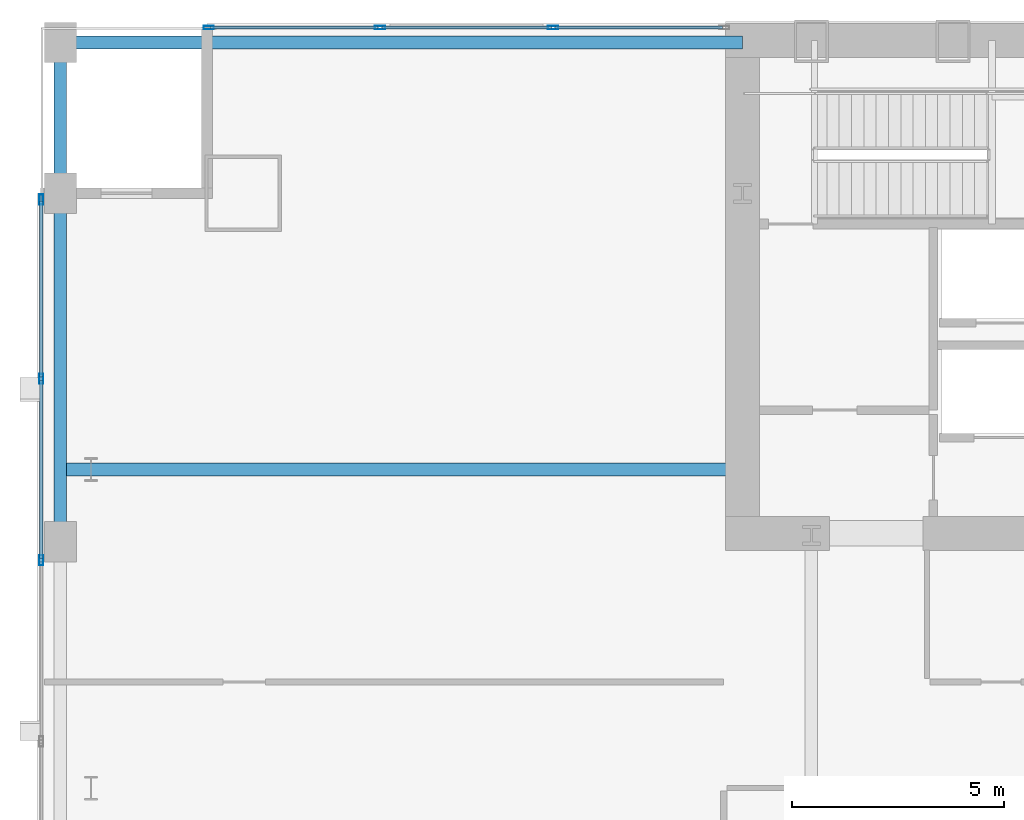
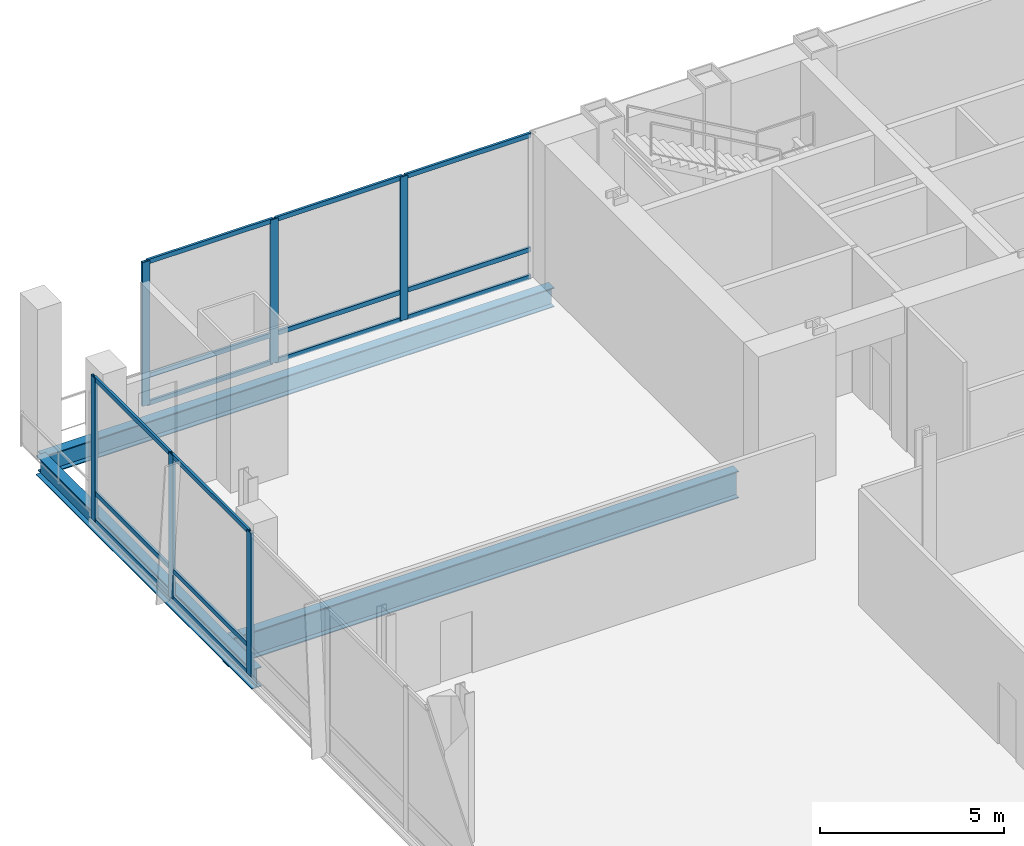
# One storey, part 10 of 25: 21 members, 3 beams, 2 elements without a shape of their own.
"""IFC4 building model written with IfcOpenShell, lengths in metres."""

from ifc_helpers import new_model, si_unit, direction, frame, origin, origin_2d, place, context, subcontext, project, spatial, hollow_rectangle, i_section, extrude, material, material_profile, profile_set, type_object, element, aggregate, save


model = new_model("IFC4")

# Units and contexts
model_context = context("Model", 3, precision=1e-05, world=origin(), true_north=direction((0.0, 1.0)))
body_context = subcontext(model_context, "Body", "Model", "MODEL_VIEW")
ifc_project = project(units=[si_unit("LENGTHUNIT", "METRE"), si_unit("AREAUNIT", "SQUARE_METRE"), si_unit("VOLUMEUNIT", "CUBIC_METRE"), si_unit("PLANEANGLEUNIT", "RADIAN"), si_unit("MASSUNIT", "GRAM", prefix="KILO")], contexts=[model_context])

# Site, building, storey
site_placement = place(None, origin())
site = spatial("IfcSite", under=ifc_project, at=site_placement, CompositionType="ELEMENT")
building_placement = place(site_placement, origin())
building = spatial("IfcBuilding", under=site, at=building_placement, Name="Khoronbel Lancet Exchange", CompositionType="ELEMENT")
storey_placement = place(building_placement, frame((0.0, 0.0, 15.39990234375)))
storey = spatial("IfcBuildingStorey", under=building, at=storey_placement, Name="L03", CompositionType="ELEMENT", Elevation=15.39990234375)

# Beams
ifc_material_1 = material(Name="Steel S355", Category="steel")
ifc_material_profile_1 = material_profile(ifc_material_1, i_section(OverallWidth=0.300048828125, OverallDepth=0.89990234375, WebThickness=0.0185546875, FlangeThickness=0.034912109375, at=origin_2d()), Name="HEB 900")
ifc_profile_set_1 = profile_set([ifc_material_profile_1], Name="Steel S355")
beam_type_1 = type_object("IfcBeamType", Name="BM-BG1", PredefinedType="BEAM", material=ifc_profile_set_1)
beam_1_placement = place(storey_placement, frame((0.550048828125, 43.199951171875, -0.64990234375), z_axis=(1.0, 0.0, 0.0), x_axis=(0.0, 1.0, 0.0)))
element("IfcBeam", 1, at=beam_1_placement, inside=storey, type_object=beam_type_1, Name="Level L03 west lens tie girder LG3W", PredefinedType="BEAM", context=body_context, shape_type="SweptSolid", body=[
    extrude(i_section(OverallWidth=0.300048828125, OverallDepth=0.89990234375, WebThickness=0.0185546875, FlangeThickness=0.034912109375, at=origin_2d()), origin(), (0.0, 0.0, 1.0), 16.050048828125),
])
ifc_material_profile_2 = material_profile(ifc_material_1, i_section(OverallWidth=0.300048828125, OverallDepth=0.64990234375, WebThickness=0.01611328125, FlangeThickness=0.031005859375, at=origin_2d()), Name="HEB 650")
ifc_profile_set_2 = profile_set([ifc_material_profile_2], Name="Steel S355")
beam_type_2 = type_object("IfcBeamType", Name="BM-BSP1", PredefinedType="SPANDREL", material=ifc_profile_set_2)
beam_2_placement = place(storey_placement, frame((16.60009765625, 53.25, -0.52490234375), z_axis=(-1.0, 0.0, 0.0), x_axis=(0.0, -1.0, 0.0)))
element("IfcBeam", 2, at=beam_2_placement, inside=storey, type_object=beam_type_2, Name="Level L03 perimeter spandrel beam SP14", PredefinedType="SPANDREL", context=body_context, shape_type="SweptSolid", body=[
    extrude(i_section(OverallWidth=0.300048828125, OverallDepth=0.64990234375, WebThickness=0.01611328125, FlangeThickness=0.031005859375, at=origin_2d()), origin(), (0.0, 0.0, 1.0), 16.050048828125),
])
beam_3_placement = place(storey_placement, frame((0.550048828125, 53.25, -0.52490234375), z_axis=(0.0, -1.0, 0.0), x_axis=(1.0, 0.0, 0.0)))
element("IfcBeam", 3, at=beam_3_placement, inside=storey, type_object=beam_type_2, Name="Level L03 perimeter spandrel beam SP15", PredefinedType="SPANDREL", context=body_context, shape_type="SweptSolid", body=[
    extrude(i_section(OverallWidth=0.300048828125, OverallDepth=0.64990234375, WebThickness=0.01611328125, FlangeThickness=0.031005859375, at=origin_2d()), origin(), (0.0, 0.0, 1.0), 11.75),
])

# Curtain wall, members
ifc_material_2 = material(Name="Low-E Solar Control Insulating Glass", Category="glass")
curtain_wall_type = type_object("IfcCurtainWallType", Name="CW-5", PredefinedType="NOTDEFINED", material=ifc_material_2)
curtain_wall_1_placement = place(storey_placement, origin())
curtain_wall_1 = element("IfcCurtainWall", 4, at=curtain_wall_1_placement, inside=storey, type_object=curtain_wall_type, Name="Unitised curtain wall CW-L03-WEST", PredefinedType="NOTDEFINED")
ifc_material_3 = material(Name="Bronze-Anodised Aluminium 6063-T6", Category="aluminium")
ifc_material_profile_3 = material_profile(ifc_material_3, hollow_rectangle(XDim=0.0849609375, YDim=0.239990234375, WallThickness=0.006103515625, at=origin_2d()), Name="ALU MULLION 85x240")
ifc_profile_set_3 = profile_set([ifc_material_profile_3], Name="Bronze-Anodised Aluminium 6063-T6")
member_type_1 = type_object("IfcMemberType", Name="MEM-CWM1", PredefinedType="MULLION", material=ifc_profile_set_3)
member_1_placement = place(storey_placement, frame((0.10009765625, 49.5576171875, 0.0), z_axis=(0.0, 0.0, 1.0), x_axis=(1.0, 0.0, 0.0)))
member_1 = element("IfcMember", 5, at=member_1_placement, type_object=member_type_1, Name="CW5 mullion 1", PredefinedType="MULLION", context=body_context, shape_type="SweptSolid", body=[
    extrude(hollow_rectangle(XDim=0.0849609375, YDim=0.239990234375, WallThickness=0.006103515625, at=origin_2d()), origin(), (0.0, 0.0, 1.0), 4.780029296875),
])
member_2_placement = place(storey_placement, frame((0.10009765625, 45.333251953125, 0.0), z_axis=(0.0, 0.0, 1.0), x_axis=(1.0, 0.0, 0.0)))
member_2 = element("IfcMember", 6, at=member_2_placement, type_object=member_type_1, Name="CW5 mullion 2", PredefinedType="MULLION", context=body_context, shape_type="SweptSolid", body=[
    extrude(hollow_rectangle(XDim=0.0849609375, YDim=0.239990234375, WallThickness=0.006103515625, at=origin_2d()), origin(), (0.0, 0.0, 1.0), 4.780029296875),
])
member_3_placement = place(storey_placement, frame((0.10009765625, 41.066650390625, 0.0), z_axis=(0.0, 0.0, 1.0), x_axis=(1.0, 0.0, 0.0)))
member_3 = element("IfcMember", 7, at=member_3_placement, type_object=member_type_1, Name="CW5 mullion 3", PredefinedType="MULLION", context=body_context, shape_type="SweptSolid", body=[
    extrude(hollow_rectangle(XDim=0.0849609375, YDim=0.239990234375, WallThickness=0.006103515625, at=origin_2d()), origin(), (0.0, 0.0, 1.0), 4.780029296875),
])

curtain_wall_2_placement = place(storey_placement, origin())
curtain_wall_2 = element("IfcCurtainWall", 8, at=curtain_wall_2_placement, inside=storey, type_object=curtain_wall_type, Name="Unitised curtain wall CW-L03-NW", PredefinedType="NOTDEFINED")
member_4_placement = place(storey_placement, frame((4.04248046875, 53.60009765625, 0.0), z_axis=(0.0, 0.0, 1.0), x_axis=(0.0, 1.0, 0.0)))
member_4 = element("IfcMember", 9, at=member_4_placement, type_object=member_type_1, Name="CW5 mullion 1", PredefinedType="MULLION", context=body_context, shape_type="SweptSolid", body=[
    extrude(hollow_rectangle(XDim=0.0849609375, YDim=0.239990234375, WallThickness=0.006103515625, at=origin_2d()), origin(), (0.0, 0.0, 1.0), 4.780029296875),
])
member_5_placement = place(storey_placement, frame((8.0732421875, 53.60009765625, 0.0), z_axis=(0.0, 0.0, 1.0), x_axis=(0.0, 1.0, 0.0)))
member_5 = element("IfcMember", 10, at=member_5_placement, type_object=member_type_1, Name="CW5 mullion 2", PredefinedType="MULLION", context=body_context, shape_type="SweptSolid", body=[
    extrude(hollow_rectangle(XDim=0.0849609375, YDim=0.239990234375, WallThickness=0.006103515625, at=origin_2d()), origin(), (0.0, 0.0, 1.0), 4.780029296875),
])
member_6_placement = place(storey_placement, frame((12.146728515625, 53.60009765625, 0.0), z_axis=(0.0, 0.0, 1.0), x_axis=(0.0, 1.0, 0.0)))
member_6 = element("IfcMember", 11, at=member_6_placement, type_object=member_type_1, Name="CW5 mullion 3", PredefinedType="MULLION", context=body_context, shape_type="SweptSolid", body=[
    extrude(hollow_rectangle(XDim=0.0849609375, YDim=0.239990234375, WallThickness=0.006103515625, at=origin_2d()), origin(), (0.0, 0.0, 1.0), 4.780029296875),
])

# Member
ifc_material_profile_4 = material_profile(ifc_material_3, hollow_rectangle(XDim=0.074951171875, YDim=0.14990234375, WallThickness=0.00439453125, at=origin_2d()), Name="ALU TRANSOM 75x150")
ifc_profile_set_4 = profile_set([ifc_material_profile_4], Name="Bronze-Anodised Aluminium 6063-T6")
member_type_2 = type_object("IfcMemberType", Name="MEM-CWT2", PredefinedType="USERDEFINED", material=ifc_profile_set_4)
member_7_placement = place(storey_placement, frame((0.10009765625, 49.514892578125, 0.03759765625), z_axis=(0.0, -1.0, 0.0), x_axis=(1.0, 0.0, 0.0)))
member_7 = element("IfcMember", 12, at=member_7_placement, type_object=member_type_2, Name="CW5 transom 1.1", ObjectType="TRANSOM", PredefinedType="USERDEFINED", context=body_context, shape_type="SweptSolid", body=[
    extrude(hollow_rectangle(XDim=0.074951171875, YDim=0.14990234375, WallThickness=0.00439453125, at=origin_2d()), origin(), (0.0, 0.0, 1.0), 4.13916015625),
])

member_8_placement = place(storey_placement, frame((0.10009765625, 49.514892578125, 0.9501953125), z_axis=(0.0, -1.0, 0.0), x_axis=(1.0, 0.0, 0.0)))
member_8 = element("IfcMember", 13, at=member_8_placement, type_object=member_type_2, Name="CW5 transom 1.2", ObjectType="TRANSOM", PredefinedType="USERDEFINED", context=body_context, shape_type="SweptSolid", body=[
    extrude(hollow_rectangle(XDim=0.074951171875, YDim=0.14990234375, WallThickness=0.00439453125, at=origin_2d()), origin(), (0.0, 0.0, 1.0), 4.13916015625),
])

member_9_placement = place(storey_placement, frame((0.10009765625, 49.514892578125, 4.74267578125), z_axis=(0.0, -1.0, 0.0), x_axis=(1.0, 0.0, 0.0)))
member_9 = element("IfcMember", 14, at=member_9_placement, type_object=member_type_2, Name="CW5 transom 1.3", ObjectType="TRANSOM", PredefinedType="USERDEFINED", context=body_context, shape_type="SweptSolid", body=[
    extrude(hollow_rectangle(XDim=0.074951171875, YDim=0.14990234375, WallThickness=0.00439453125, at=origin_2d()), origin(), (0.0, 0.0, 1.0), 4.13916015625),
])

member_10_placement = place(storey_placement, frame((0.10009765625, 45.290771484375, 0.03759765625), z_axis=(0.0, -1.0, 0.0), x_axis=(1.0, 0.0, 0.0)))
member_10 = element("IfcMember", 15, at=member_10_placement, type_object=member_type_2, Name="CW5 transom 2.1", ObjectType="TRANSOM", PredefinedType="USERDEFINED", context=body_context, shape_type="SweptSolid", body=[
    extrude(hollow_rectangle(XDim=0.074951171875, YDim=0.14990234375, WallThickness=0.00439453125, at=origin_2d()), origin(), (0.0, 0.0, 1.0), 4.181640625),
])

member_11_placement = place(storey_placement, frame((0.10009765625, 45.290771484375, 0.9501953125), z_axis=(0.0, -1.0, 0.0), x_axis=(1.0, 0.0, 0.0)))
member_11 = element("IfcMember", 16, at=member_11_placement, type_object=member_type_2, Name="CW5 transom 2.2", ObjectType="TRANSOM", PredefinedType="USERDEFINED", context=body_context, shape_type="SweptSolid", body=[
    extrude(hollow_rectangle(XDim=0.074951171875, YDim=0.14990234375, WallThickness=0.00439453125, at=origin_2d()), origin(), (0.0, 0.0, 1.0), 4.181640625),
])

member_12_placement = place(storey_placement, frame((0.10009765625, 45.290771484375, 4.74267578125), z_axis=(0.0, -1.0, 0.0), x_axis=(1.0, 0.0, 0.0)))
member_12 = element("IfcMember", 17, at=member_12_placement, type_object=member_type_2, Name="CW5 transom 2.3", ObjectType="TRANSOM", PredefinedType="USERDEFINED", context=body_context, shape_type="SweptSolid", body=[
    extrude(hollow_rectangle(XDim=0.074951171875, YDim=0.14990234375, WallThickness=0.00439453125, at=origin_2d()), origin(), (0.0, 0.0, 1.0), 4.181640625),
])

aggregate(curtain_wall_1, [member_1, member_2, member_3, member_7, member_8, member_9, member_10, member_11, member_12])

member_13_placement = place(storey_placement, frame((4.0849609375, 53.60009765625, 0.03759765625), z_axis=(1.0, 0.0, 0.0), x_axis=(0.0, 1.0, 0.0)))
member_13 = element("IfcMember", 18, at=member_13_placement, type_object=member_type_2, Name="CW5 transom 1.1", ObjectType="TRANSOM", PredefinedType="USERDEFINED", context=body_context, shape_type="SweptSolid", body=[
    extrude(hollow_rectangle(XDim=0.074951171875, YDim=0.14990234375, WallThickness=0.00439453125, at=origin_2d()), origin(), (0.0, 0.0, 1.0), 3.94580078125),
])

member_14_placement = place(storey_placement, frame((4.0849609375, 53.60009765625, 0.9501953125), z_axis=(1.0, 0.0, 0.0), x_axis=(0.0, 1.0, 0.0)))
member_14 = element("IfcMember", 19, at=member_14_placement, type_object=member_type_2, Name="CW5 transom 1.2", ObjectType="TRANSOM", PredefinedType="USERDEFINED", context=body_context, shape_type="SweptSolid", body=[
    extrude(hollow_rectangle(XDim=0.074951171875, YDim=0.14990234375, WallThickness=0.00439453125, at=origin_2d()), origin(), (0.0, 0.0, 1.0), 3.94580078125),
])

member_15_placement = place(storey_placement, frame((4.0849609375, 53.60009765625, 4.74267578125), z_axis=(1.0, 0.0, 0.0), x_axis=(0.0, 1.0, 0.0)))
member_15 = element("IfcMember", 20, at=member_15_placement, type_object=member_type_2, Name="CW5 transom 1.3", ObjectType="TRANSOM", PredefinedType="USERDEFINED", context=body_context, shape_type="SweptSolid", body=[
    extrude(hollow_rectangle(XDim=0.074951171875, YDim=0.14990234375, WallThickness=0.00439453125, at=origin_2d()), origin(), (0.0, 0.0, 1.0), 3.94580078125),
])

member_16_placement = place(storey_placement, frame((8.11572265625, 53.60009765625, 0.03759765625), z_axis=(1.0, 0.0, 0.0), x_axis=(0.0, 1.0, 0.0)))
member_16 = element("IfcMember", 21, at=member_16_placement, type_object=member_type_2, Name="CW5 transom 2.1", ObjectType="TRANSOM", PredefinedType="USERDEFINED", context=body_context, shape_type="SweptSolid", body=[
    extrude(hollow_rectangle(XDim=0.074951171875, YDim=0.14990234375, WallThickness=0.00439453125, at=origin_2d()), origin(), (0.0, 0.0, 1.0), 3.988525390625),
])

member_17_placement = place(storey_placement, frame((8.11572265625, 53.60009765625, 0.9501953125), z_axis=(1.0, 0.0, 0.0), x_axis=(0.0, 1.0, 0.0)))
member_17 = element("IfcMember", 22, at=member_17_placement, type_object=member_type_2, Name="CW5 transom 2.2", ObjectType="TRANSOM", PredefinedType="USERDEFINED", context=body_context, shape_type="SweptSolid", body=[
    extrude(hollow_rectangle(XDim=0.074951171875, YDim=0.14990234375, WallThickness=0.00439453125, at=origin_2d()), origin(), (0.0, 0.0, 1.0), 3.988525390625),
])

member_18_placement = place(storey_placement, frame((8.11572265625, 53.60009765625, 4.74267578125), z_axis=(1.0, 0.0, 0.0), x_axis=(0.0, 1.0, 0.0)))
member_18 = element("IfcMember", 23, at=member_18_placement, type_object=member_type_2, Name="CW5 transom 2.3", ObjectType="TRANSOM", PredefinedType="USERDEFINED", context=body_context, shape_type="SweptSolid", body=[
    extrude(hollow_rectangle(XDim=0.074951171875, YDim=0.14990234375, WallThickness=0.00439453125, at=origin_2d()), origin(), (0.0, 0.0, 1.0), 3.988525390625),
])

member_19_placement = place(storey_placement, frame((12.189208984375, 53.60009765625, 0.03759765625), z_axis=(1.0, 0.0, 0.0), x_axis=(0.0, 1.0, 0.0)))
member_19 = element("IfcMember", 24, at=member_19_placement, type_object=member_type_2, Name="CW5 transom 3.1", ObjectType="TRANSOM", PredefinedType="USERDEFINED", context=body_context, shape_type="SweptSolid", body=[
    extrude(hollow_rectangle(XDim=0.074951171875, YDim=0.14990234375, WallThickness=0.00439453125, at=origin_2d()), origin(), (0.0, 0.0, 1.0), 3.94580078125),
])

member_20_placement = place(storey_placement, frame((12.189208984375, 53.60009765625, 0.9501953125), z_axis=(1.0, 0.0, 0.0), x_axis=(0.0, 1.0, 0.0)))
member_20 = element("IfcMember", 25, at=member_20_placement, type_object=member_type_2, Name="CW5 transom 3.2", ObjectType="TRANSOM", PredefinedType="USERDEFINED", context=body_context, shape_type="SweptSolid", body=[
    extrude(hollow_rectangle(XDim=0.074951171875, YDim=0.14990234375, WallThickness=0.00439453125, at=origin_2d()), origin(), (0.0, 0.0, 1.0), 3.94580078125),
])

member_21_placement = place(storey_placement, frame((12.189208984375, 53.60009765625, 4.74267578125), z_axis=(1.0, 0.0, 0.0), x_axis=(0.0, 1.0, 0.0)))
member_21 = element("IfcMember", 26, at=member_21_placement, type_object=member_type_2, Name="CW5 transom 3.3", ObjectType="TRANSOM", PredefinedType="USERDEFINED", context=body_context, shape_type="SweptSolid", body=[
    extrude(hollow_rectangle(XDim=0.074951171875, YDim=0.14990234375, WallThickness=0.00439453125, at=origin_2d()), origin(), (0.0, 0.0, 1.0), 3.94580078125),
])

aggregate(curtain_wall_2, [member_4, member_5, member_6, member_13, member_14, member_15, member_16, member_17, member_18, member_19, member_20, member_21])

save(model, "model.ifc")
